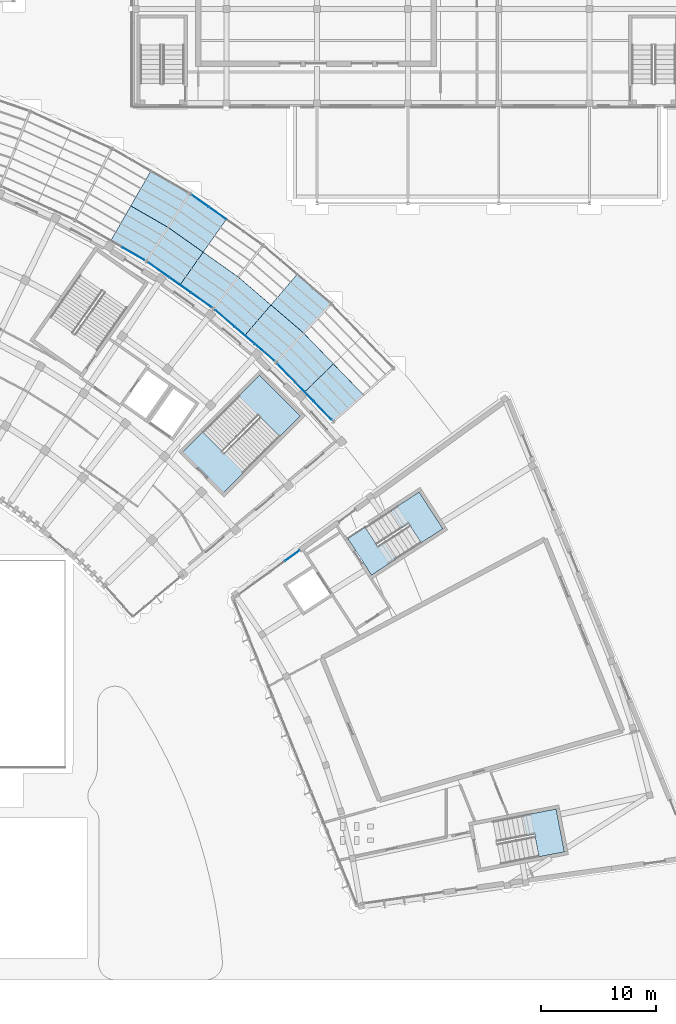
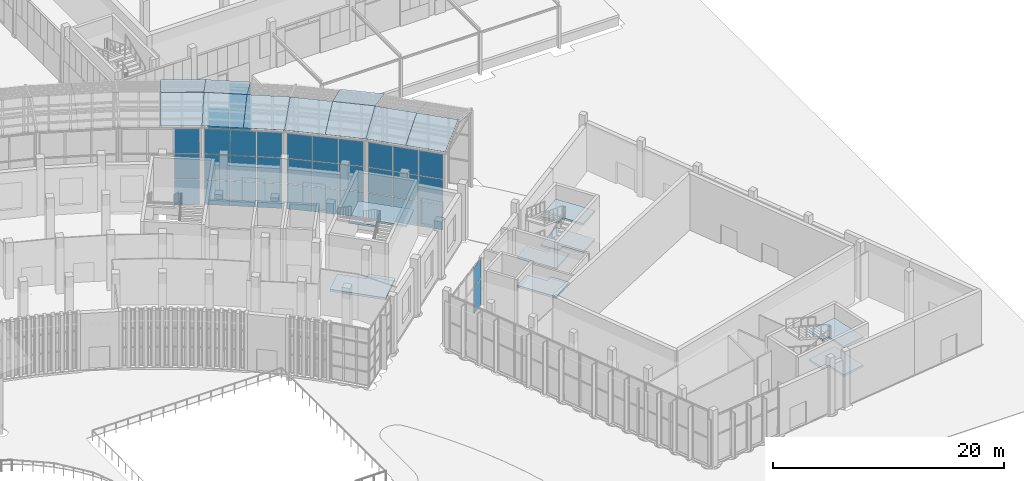
# One storey, part 87 of 155: 47 plates, 8 slabs, 9 elements without a shape of their own.
"""IFC4 building model written with IfcOpenShell, lengths in metres."""

from ifc_helpers import new_model, si_unit, direction, frame, origin, origin_2d, place, context, subcontext, project, spatial, polyline, rectangle, outline, extrude, material, layer, layer_set, type_object, element, aggregate, save


model = new_model("IFC4")

# Units and contexts
model_context = context("Model", 3, precision=1e-05, world=origin(), true_north=direction((0.0, 1.0)))
body_context = subcontext(model_context, "Body", "Model", "MODEL_VIEW")
ifc_project = project(units=[si_unit("LENGTHUNIT", "METRE"), si_unit("AREAUNIT", "SQUARE_METRE"), si_unit("VOLUMEUNIT", "CUBIC_METRE"), si_unit("PLANEANGLEUNIT", "RADIAN"), si_unit("MASSUNIT", "GRAM", prefix="KILO")], contexts=[model_context])

# Site, building, storey
site_placement = place(None, origin())
site = spatial("IfcSite", under=ifc_project, at=site_placement, CompositionType="ELEMENT")
building_placement = place(site_placement, origin())
building = spatial("IfcBuilding", under=site, at=building_placement, Name="Lunette Opera House", CompositionType="ELEMENT")
storey_placement = place(building_placement, origin())
storey = spatial("IfcBuildingStorey", under=building, at=storey_placement, Name="L00", CompositionType="ELEMENT", Elevation=0.0)

# Slabs
ifc_material_1 = material(Name="Concrete C35/45", Category="concrete")
ifc_layer_1 = layer(ifc_material_1, 0.219970703125)
ifc_layer_set_1 = layer_set([ifc_layer_1], Name="Concrete C35/45")
slab_type_1 = type_object("IfcSlabType", Name="CORE LANDING SLAB 220", PredefinedType="LANDING", material=ifc_layer_set_1)
slab_1_placement = place(storey_placement, frame((0.0, 0.0, -0.219970703125)))
element("IfcSlab", 1, at=slab_1_placement, inside=storey, type_object=slab_type_1, Name="ST21 floor landing", PredefinedType="LANDING", context=body_context, shape_type="SweptSolid", body=[
    extrude(outline(polyline([(154.761962890625, 40.426025390625), (156.280029296875, 41.412109375), (157.260009765625, 39.902099609375), (157.251953125, 39.89697265625), (157.361083984375, 39.72900390625), (157.947998046875, 40.110107421875), (158.927978515625, 38.60009765625), (156.83203125, 37.239013671875), (154.761962890625, 40.426025390625)])), origin(), (0.0, 0.0, 1.0), 0.219970703125),
])
slab_2_placement = place(storey_placement, frame((0.0, 0.0, -0.219970703125)))
element("IfcSlab", 2, at=slab_2_placement, inside=storey, type_object=slab_type_1, Name="ST4 floor landing", PredefinedType="LANDING", context=body_context, shape_type="SweptSolid", body=[
    extrude(outline(polyline([(140.44091796875, 47.97705078125), (142.14501953125, 49.680908203125), (143.842041015625, 47.98388671875), (143.8349609375, 47.97705078125), (143.97705078125, 47.8349609375), (144.471923828125, 48.330078125), (146.1689453125, 46.633056640625), (143.97705078125, 44.44091796875), (140.44091796875, 47.97705078125)])), origin(), (0.0, 0.0, 1.0), 0.219970703125),
])

# Curtain wall, plates
ifc_material_2 = material(Name="Aluminium", Category="aluminium")
ifc_layer_2 = layer(ifc_material_2, 0.139892578125)
ifc_layer_set_2 = layer_set([ifc_layer_2], Name="Aluminium")
curtain_wall_type_1 = type_object("IfcCurtainWallType", Name="PASSAGE CURTAIN WALL", PredefinedType="NOTDEFINED", material=ifc_layer_set_2)
curtain_wall_1_placement = place(storey_placement, origin())
curtain_wall_1 = element("IfcCurtainWall", 3, at=curtain_wall_1_placement, inside=storey, type_object=curtain_wall_type_1, Name="Passage Curtain Wall EI3 L00", PredefinedType="NOTDEFINED")
ifc_material_3 = material(Name="Laminated glass", Category="glass")
ifc_layer_3 = layer(ifc_material_3, 0.028076171875)
ifc_layer_set_3 = layer_set([ifc_layer_3], Name="Laminated glass")
plate_type_1 = type_object("IfcPlateType", Name="CURTAIN PANEL LAMINATED GLASS 28", PredefinedType="CURTAIN_PANEL", material=ifc_layer_set_3)
plate_1_placement = place(storey_placement, frame((136.103759765625, 65.204345703125, 0.06005859375), z_axis=(0.0, 0.0, 1.0), x_axis=(0.866939373287, -0.498413606399, 0.0)))
plate_1 = element("IfcPlate", 4, at=plate_1_placement, type_object=plate_type_1, Name="PP-X2003 panel 3.1", PredefinedType="CURTAIN_PANEL", context=body_context, shape_type="SweptSolid", body=[
    extrude(rectangle(XDim=2.196533203125, YDim=0.028076171875, at=origin_2d()), origin(), (0.0, 0.0, 1.0), 2.610107421875),
])
plate_2_placement = place(storey_placement, frame((136.103759765625, 65.204345703125, 2.72998046875), z_axis=(0.0, 0.0, 1.0), x_axis=(0.866939373287, -0.498413606399, 0.0)))
plate_2 = element("IfcPlate", 5, at=plate_2_placement, type_object=plate_type_1, Name="PP-X2003 panel 3.2", PredefinedType="CURTAIN_PANEL", context=body_context, shape_type="SweptSolid", body=[
    extrude(rectangle(XDim=2.196533203125, YDim=0.028076171875, at=origin_2d()), origin(), (0.0, 0.0, 1.0), 2.639892578125),
])
plate_3_placement = place(storey_placement, frame((136.103759765625, 65.204345703125, 5.43017578125), z_axis=(0.0, 0.0, 1.0), x_axis=(0.866939373287, -0.498413606399, 0.0)))
plate_3 = element("IfcPlate", 6, at=plate_3_placement, type_object=plate_type_1, Name="PP-X2003 panel 3.3", PredefinedType="CURTAIN_PANEL", context=body_context, shape_type="SweptSolid", body=[
    extrude(rectangle(XDim=2.196533203125, YDim=0.028076171875, at=origin_2d()), origin(), (0.0, 0.0, 1.0), 2.610107421875),
])
aggregate(curtain_wall_1, [plate_1, plate_2, plate_3])

curtain_wall_2_placement = place(storey_placement, origin())
curtain_wall_2 = element("IfcCurtainWall", 7, at=curtain_wall_2_placement, inside=storey, type_object=curtain_wall_type_1, Name="Passage Curtain Wall EI4 L00", PredefinedType="NOTDEFINED")
plate_4_placement = place(storey_placement, frame((138.305908203125, 63.796630859375, 0.06005859375), z_axis=(0.0, 0.0, 1.0), x_axis=(0.816717282752, -0.577038023057, 0.0)))
plate_4 = element("IfcPlate", 8, at=plate_4_placement, type_object=plate_type_1, Name="PP-X2004 panel 1.1", PredefinedType="CURTAIN_PANEL", context=body_context, shape_type="SweptSolid", body=[
    extrude(rectangle(XDim=2.1962890625, YDim=0.028076171875, at=origin_2d()), origin(), (0.0, 0.0, 1.0), 2.610107421875),
])
plate_5_placement = place(storey_placement, frame((138.305908203125, 63.796630859375, 2.72998046875), z_axis=(0.0, 0.0, 1.0), x_axis=(0.816717282752, -0.577038023057, 0.0)))
plate_5 = element("IfcPlate", 9, at=plate_5_placement, type_object=plate_type_1, Name="PP-X2004 panel 1.2", PredefinedType="CURTAIN_PANEL", context=body_context, shape_type="SweptSolid", body=[
    extrude(rectangle(XDim=2.1962890625, YDim=0.028076171875, at=origin_2d()), origin(), (0.0, 0.0, 1.0), 2.639892578125),
])
plate_6_placement = place(storey_placement, frame((138.305908203125, 63.796630859375, 5.43017578125), z_axis=(0.0, 0.0, 1.0), x_axis=(0.816717282752, -0.577038023057, 0.0)))
plate_6 = element("IfcPlate", 10, at=plate_6_placement, type_object=plate_type_1, Name="PP-X2004 panel 1.3", PredefinedType="CURTAIN_PANEL", context=body_context, shape_type="SweptSolid", body=[
    extrude(rectangle(XDim=2.1962890625, YDim=0.028076171875, at=origin_2d()), origin(), (0.0, 0.0, 1.0), 2.610107421875),
])
plate_7_placement = place(storey_placement, frame((140.160888671875, 62.486083984375, 0.06005859375), z_axis=(0.0, 0.0, 1.0), x_axis=(0.816717282752, -0.577038023057, 0.0)))
plate_7 = element("IfcPlate", 11, at=plate_7_placement, type_object=plate_type_1, Name="PP-X2004 panel 2.1", PredefinedType="CURTAIN_PANEL", context=body_context, shape_type="SweptSolid", body=[
    extrude(rectangle(XDim=2.226318359375, YDim=0.028076171875, at=origin_2d()), origin(), (0.0, 0.0, 1.0), 2.610107421875),
])
plate_8_placement = place(storey_placement, frame((140.160888671875, 62.486083984375, 2.72998046875), z_axis=(0.0, 0.0, 1.0), x_axis=(0.816717282752, -0.577038023057, 0.0)))
plate_8 = element("IfcPlate", 12, at=plate_8_placement, type_object=plate_type_1, Name="PP-X2004 panel 2.2", PredefinedType="CURTAIN_PANEL", context=body_context, shape_type="SweptSolid", body=[
    extrude(rectangle(XDim=2.226318359375, YDim=0.028076171875, at=origin_2d()), origin(), (0.0, 0.0, 1.0), 2.639892578125),
])
plate_9_placement = place(storey_placement, frame((140.160888671875, 62.486083984375, 5.43017578125), z_axis=(0.0, 0.0, 1.0), x_axis=(0.816717282752, -0.577038023057, 0.0)))
plate_9 = element("IfcPlate", 13, at=plate_9_placement, type_object=plate_type_1, Name="PP-X2004 panel 2.3", PredefinedType="CURTAIN_PANEL", context=body_context, shape_type="SweptSolid", body=[
    extrude(rectangle(XDim=2.226318359375, YDim=0.028076171875, at=origin_2d()), origin(), (0.0, 0.0, 1.0), 2.610107421875),
])
plate_10_placement = place(storey_placement, frame((142.01611328125, 61.17529296875, 0.06005859375), z_axis=(0.0, 0.0, 1.0), x_axis=(0.816717282752, -0.577038023057, 0.0)))
plate_10 = element("IfcPlate", 14, at=plate_10_placement, type_object=plate_type_1, Name="PP-X2004 panel 3.1", PredefinedType="CURTAIN_PANEL", context=body_context, shape_type="SweptSolid", body=[
    extrude(rectangle(XDim=2.1962890625, YDim=0.028076171875, at=origin_2d()), origin(), (0.0, 0.0, 1.0), 2.610107421875),
])
plate_11_placement = place(storey_placement, frame((142.01611328125, 61.17529296875, 2.72998046875), z_axis=(0.0, 0.0, 1.0), x_axis=(0.816717282752, -0.577038023057, 0.0)))
plate_11 = element("IfcPlate", 15, at=plate_11_placement, type_object=plate_type_1, Name="PP-X2004 panel 3.2", PredefinedType="CURTAIN_PANEL", context=body_context, shape_type="SweptSolid", body=[
    extrude(rectangle(XDim=2.1962890625, YDim=0.028076171875, at=origin_2d()), origin(), (0.0, 0.0, 1.0), 2.639892578125),
])
plate_12_placement = place(storey_placement, frame((142.01611328125, 61.17529296875, 5.43017578125), z_axis=(0.0, 0.0, 1.0), x_axis=(0.816717282752, -0.577038023057, 0.0)))
plate_12 = element("IfcPlate", 16, at=plate_12_placement, type_object=plate_type_1, Name="PP-X2004 panel 3.3", PredefinedType="CURTAIN_PANEL", context=body_context, shape_type="SweptSolid", body=[
    extrude(rectangle(XDim=2.1962890625, YDim=0.028076171875, at=origin_2d()), origin(), (0.0, 0.0, 1.0), 2.610107421875),
])
aggregate(curtain_wall_2, [plate_4, plate_5, plate_6, plate_7, plate_8, plate_9, plate_10, plate_11, plate_12])

curtain_wall_3_placement = place(storey_placement, origin())
curtain_wall_3 = element("IfcCurtainWall", 17, at=curtain_wall_3_placement, inside=storey, type_object=curtain_wall_type_1, Name="Passage Curtain Wall EI5 L00", PredefinedType="NOTDEFINED")
plate_13_placement = place(storey_placement, frame((144.077392578125, 59.568359375, 0.06005859375), z_axis=(0.0, 0.0, 1.0), x_axis=(0.759256602365, -0.650791373456, 0.0)))
plate_13 = element("IfcPlate", 18, at=plate_13_placement, type_object=plate_type_1, Name="PP-X2005 panel 1.1", PredefinedType="CURTAIN_PANEL", context=body_context, shape_type="SweptSolid", body=[
    extrude(rectangle(XDim=2.196533203125, YDim=0.028076171875, at=origin_2d()), origin(), (0.0, 0.0, 1.0), 2.610107421875),
])
plate_14_placement = place(storey_placement, frame((144.077392578125, 59.568359375, 2.72998046875), z_axis=(0.0, 0.0, 1.0), x_axis=(0.759256602365, -0.650791373456, 0.0)))
plate_14 = element("IfcPlate", 19, at=plate_14_placement, type_object=plate_type_1, Name="PP-X2005 panel 1.2", PredefinedType="CURTAIN_PANEL", context=body_context, shape_type="SweptSolid", body=[
    extrude(rectangle(XDim=2.196533203125, YDim=0.028076171875, at=origin_2d()), origin(), (0.0, 0.0, 1.0), 2.639892578125),
])
plate_15_placement = place(storey_placement, frame((144.077392578125, 59.568359375, 5.43017578125), z_axis=(0.0, 0.0, 1.0), x_axis=(0.759256602365, -0.650791373456, 0.0)))
plate_15 = element("IfcPlate", 20, at=plate_15_placement, type_object=plate_type_1, Name="PP-X2005 panel 1.3", PredefinedType="CURTAIN_PANEL", context=body_context, shape_type="SweptSolid", body=[
    extrude(rectangle(XDim=2.196533203125, YDim=0.028076171875, at=origin_2d()), origin(), (0.0, 0.0, 1.0), 2.610107421875),
])
plate_16_placement = place(storey_placement, frame((145.802001953125, 58.090087890625, 0.06005859375), z_axis=(0.0, 0.0, 1.0), x_axis=(0.759256602365, -0.650791373456, 0.0)))
plate_16 = element("IfcPlate", 21, at=plate_16_placement, type_object=plate_type_1, Name="PP-X2005 panel 2.1", PredefinedType="CURTAIN_PANEL", context=body_context, shape_type="SweptSolid", body=[
    extrude(rectangle(XDim=2.2265625, YDim=0.028076171875, at=origin_2d()), origin(), (0.0, 0.0, 1.0), 2.610107421875),
])
plate_17_placement = place(storey_placement, frame((145.802001953125, 58.090087890625, 2.72998046875), z_axis=(0.0, 0.0, 1.0), x_axis=(0.759256602365, -0.650791373456, 0.0)))
plate_17 = element("IfcPlate", 22, at=plate_17_placement, type_object=plate_type_1, Name="PP-X2005 panel 2.2", PredefinedType="CURTAIN_PANEL", context=body_context, shape_type="SweptSolid", body=[
    extrude(rectangle(XDim=2.2265625, YDim=0.028076171875, at=origin_2d()), origin(), (0.0, 0.0, 1.0), 2.639892578125),
])
plate_18_placement = place(storey_placement, frame((145.802001953125, 58.090087890625, 5.43017578125), z_axis=(0.0, 0.0, 1.0), x_axis=(0.759256602365, -0.650791373456, 0.0)))
plate_18 = element("IfcPlate", 23, at=plate_18_placement, type_object=plate_type_1, Name="PP-X2005 panel 2.3", PredefinedType="CURTAIN_PANEL", context=body_context, shape_type="SweptSolid", body=[
    extrude(rectangle(XDim=2.2265625, YDim=0.028076171875, at=origin_2d()), origin(), (0.0, 0.0, 1.0), 2.610107421875),
])
plate_19_placement = place(storey_placement, frame((147.526611328125, 56.61181640625, 0.06005859375), z_axis=(0.0, 0.0, 1.0), x_axis=(0.759256602365, -0.650791373456, 0.0)))
plate_19 = element("IfcPlate", 24, at=plate_19_placement, type_object=plate_type_1, Name="PP-X2005 panel 3.1", PredefinedType="CURTAIN_PANEL", context=body_context, shape_type="SweptSolid", body=[
    extrude(rectangle(XDim=2.196533203125, YDim=0.028076171875, at=origin_2d()), origin(), (0.0, 0.0, 1.0), 2.610107421875),
])
plate_20_placement = place(storey_placement, frame((147.526611328125, 56.61181640625, 2.72998046875), z_axis=(0.0, 0.0, 1.0), x_axis=(0.759256602365, -0.650791373456, 0.0)))
plate_20 = element("IfcPlate", 25, at=plate_20_placement, type_object=plate_type_1, Name="PP-X2005 panel 3.2", PredefinedType="CURTAIN_PANEL", context=body_context, shape_type="SweptSolid", body=[
    extrude(rectangle(XDim=2.196533203125, YDim=0.028076171875, at=origin_2d()), origin(), (0.0, 0.0, 1.0), 2.639892578125),
])
plate_21_placement = place(storey_placement, frame((147.526611328125, 56.61181640625, 5.43017578125), z_axis=(0.0, 0.0, 1.0), x_axis=(0.759256602365, -0.650791373456, 0.0)))
plate_21 = element("IfcPlate", 26, at=plate_21_placement, type_object=plate_type_1, Name="PP-X2005 panel 3.3", PredefinedType="CURTAIN_PANEL", context=body_context, shape_type="SweptSolid", body=[
    extrude(rectangle(XDim=2.196533203125, YDim=0.028076171875, at=origin_2d()), origin(), (0.0, 0.0, 1.0), 2.610107421875),
])
aggregate(curtain_wall_3, [plate_13, plate_14, plate_15, plate_16, plate_17, plate_18, plate_19, plate_20, plate_21])

curtain_wall_4_placement = place(storey_placement, origin())
curtain_wall_4 = element("IfcCurtainWall", 27, at=curtain_wall_4_placement, inside=storey, type_object=curtain_wall_type_1, Name="Passage Curtain Wall EI6 L00", PredefinedType="NOTDEFINED")
plate_22_placement = place(storey_placement, frame((149.42919921875, 54.8193359375, 0.06005859375), z_axis=(0.0, 0.0, 1.0), x_axis=(0.695125088724, -0.718888802964, 0.0)))
plate_22 = element("IfcPlate", 28, at=plate_22_placement, type_object=plate_type_1, Name="PP-X2006 panel 1.1", PredefinedType="CURTAIN_PANEL", context=body_context, shape_type="SweptSolid", body=[
    extrude(rectangle(XDim=2.1962890625, YDim=0.028076171875, at=origin_2d()), origin(), (0.0, 0.0, 1.0), 2.610107421875),
])
plate_23_placement = place(storey_placement, frame((149.42919921875, 54.8193359375, 2.72998046875), z_axis=(0.0, 0.0, 1.0), x_axis=(0.695125088724, -0.718888802964, 0.0)))
plate_23 = element("IfcPlate", 29, at=plate_23_placement, type_object=plate_type_1, Name="PP-X2006 panel 1.2", PredefinedType="CURTAIN_PANEL", context=body_context, shape_type="SweptSolid", body=[
    extrude(rectangle(XDim=2.1962890625, YDim=0.028076171875, at=origin_2d()), origin(), (0.0, 0.0, 1.0), 2.639892578125),
])
plate_24_placement = place(storey_placement, frame((149.42919921875, 54.8193359375, 5.43017578125), z_axis=(0.0, 0.0, 1.0), x_axis=(0.695125088724, -0.718888802964, 0.0)))
plate_24 = element("IfcPlate", 30, at=plate_24_placement, type_object=plate_type_1, Name="PP-X2006 panel 1.3", PredefinedType="CURTAIN_PANEL", context=body_context, shape_type="SweptSolid", body=[
    extrude(rectangle(XDim=2.1962890625, YDim=0.028076171875, at=origin_2d()), origin(), (0.0, 0.0, 1.0), 2.610107421875),
])
plate_25_placement = place(storey_placement, frame((151.008056640625, 53.1865234375, 0.06005859375), z_axis=(0.0, 0.0, 1.0), x_axis=(0.695125088724, -0.718888802964, 0.0)))
plate_25 = element("IfcPlate", 31, at=plate_25_placement, type_object=plate_type_1, Name="PP-X2006 panel 2.1", PredefinedType="CURTAIN_PANEL", context=body_context, shape_type="SweptSolid", body=[
    extrude(rectangle(XDim=2.226318359375, YDim=0.028076171875, at=origin_2d()), origin(), (0.0, 0.0, 1.0), 2.610107421875),
])
plate_26_placement = place(storey_placement, frame((151.008056640625, 53.1865234375, 2.72998046875), z_axis=(0.0, 0.0, 1.0), x_axis=(0.695125088724, -0.718888802964, 0.0)))
plate_26 = element("IfcPlate", 32, at=plate_26_placement, type_object=plate_type_1, Name="PP-X2006 panel 2.2", PredefinedType="CURTAIN_PANEL", context=body_context, shape_type="SweptSolid", body=[
    extrude(rectangle(XDim=2.226318359375, YDim=0.028076171875, at=origin_2d()), origin(), (0.0, 0.0, 1.0), 2.639892578125),
])
plate_27_placement = place(storey_placement, frame((151.008056640625, 53.1865234375, 5.43017578125), z_axis=(0.0, 0.0, 1.0), x_axis=(0.695125088724, -0.718888802964, 0.0)))
plate_27 = element("IfcPlate", 33, at=plate_27_placement, type_object=plate_type_1, Name="PP-X2006 panel 2.3", PredefinedType="CURTAIN_PANEL", context=body_context, shape_type="SweptSolid", body=[
    extrude(rectangle(XDim=2.226318359375, YDim=0.028076171875, at=origin_2d()), origin(), (0.0, 0.0, 1.0), 2.610107421875),
])
plate_28_placement = place(storey_placement, frame((152.5869140625, 51.5537109375, 0.06005859375), z_axis=(0.0, 0.0, 1.0), x_axis=(0.695125088724, -0.718888802964, 0.0)))
plate_28 = element("IfcPlate", 34, at=plate_28_placement, type_object=plate_type_1, Name="PP-X2006 panel 3.1", PredefinedType="CURTAIN_PANEL", context=body_context, shape_type="SweptSolid", body=[
    extrude(rectangle(XDim=2.1962890625, YDim=0.028076171875, at=origin_2d()), origin(), (0.0, 0.0, 1.0), 2.610107421875),
])
plate_29_placement = place(storey_placement, frame((152.5869140625, 51.5537109375, 2.72998046875), z_axis=(0.0, 0.0, 1.0), x_axis=(0.695125088724, -0.718888802964, 0.0)))
plate_29 = element("IfcPlate", 35, at=plate_29_placement, type_object=plate_type_1, Name="PP-X2006 panel 3.2", PredefinedType="CURTAIN_PANEL", context=body_context, shape_type="SweptSolid", body=[
    extrude(rectangle(XDim=2.1962890625, YDim=0.028076171875, at=origin_2d()), origin(), (0.0, 0.0, 1.0), 2.639892578125),
])
plate_30_placement = place(storey_placement, frame((152.5869140625, 51.5537109375, 5.43017578125), z_axis=(0.0, 0.0, 1.0), x_axis=(0.695125088724, -0.718888802964, 0.0)))
plate_30 = element("IfcPlate", 36, at=plate_30_placement, type_object=plate_type_1, Name="PP-X2006 panel 3.3", PredefinedType="CURTAIN_PANEL", context=body_context, shape_type="SweptSolid", body=[
    extrude(rectangle(XDim=2.1962890625, YDim=0.028076171875, at=origin_2d()), origin(), (0.0, 0.0, 1.0), 2.610107421875),
])
aggregate(curtain_wall_4, [plate_22, plate_23, plate_24, plate_25, plate_26, plate_27, plate_28, plate_29, plate_30])

curtain_wall_5_placement = place(storey_placement, origin())
curtain_wall_5 = element("IfcCurtainWall", 37, at=curtain_wall_5_placement, inside=storey, type_object=curtain_wall_type_1, Name="Passage Curtain Wall EO4 L00", PredefinedType="NOTDEFINED")
plate_31_placement = place(storey_placement, frame((141.908203125, 69.8134765625, 0.06005859375), z_axis=(0.0, 0.0, 1.0), x_axis=(0.816691076431, -0.577075112682, 0.0)))
plate_31 = element("IfcPlate", 38, at=plate_31_placement, type_object=plate_type_1, Name="PP-X2010 panel 1.1", PredefinedType="CURTAIN_PANEL", context=body_context, shape_type="SweptSolid", body=[
    extrude(rectangle(XDim=1.7880859375, YDim=0.028076171875, at=origin_2d()), origin(), (0.0, 0.0, 1.0), 2.610107421875),
])
plate_32_placement = place(storey_placement, frame((141.908203125, 69.8134765625, 2.72998046875), z_axis=(0.0, 0.0, 1.0), x_axis=(0.816691076431, -0.577075112682, 0.0)))
plate_32 = element("IfcPlate", 39, at=plate_32_placement, type_object=plate_type_1, Name="PP-X2010 panel 1.2", PredefinedType="CURTAIN_PANEL", context=body_context, shape_type="SweptSolid", body=[
    extrude(rectangle(XDim=1.7880859375, YDim=0.028076171875, at=origin_2d()), origin(), (0.0, 0.0, 1.0), 2.639892578125),
])
plate_33_placement = place(storey_placement, frame((143.4296875, 68.73828125, 0.06005859375), z_axis=(0.0, 0.0, 1.0), x_axis=(0.816691076431, -0.577075112682, 0.0)))
plate_33 = element("IfcPlate", 40, at=plate_33_placement, type_object=plate_type_1, Name="PP-X2010 panel 2.1", PredefinedType="CURTAIN_PANEL", context=body_context, shape_type="SweptSolid", body=[
    extrude(rectangle(XDim=1.818115234375, YDim=0.028076171875, at=origin_2d()), origin(), (0.0, 0.0, 1.0), 2.610107421875),
])
plate_34_placement = place(storey_placement, frame((143.4296875, 68.73828125, 2.72998046875), z_axis=(0.0, 0.0, 1.0), x_axis=(0.816691076431, -0.577075112682, 0.0)))
plate_34 = element("IfcPlate", 41, at=plate_34_placement, type_object=plate_type_1, Name="PP-X2010 panel 2.2", PredefinedType="CURTAIN_PANEL", context=body_context, shape_type="SweptSolid", body=[
    extrude(rectangle(XDim=1.818115234375, YDim=0.028076171875, at=origin_2d()), origin(), (0.0, 0.0, 1.0), 2.639892578125),
])
plate_35_placement = place(storey_placement, frame((143.4296875, 68.73828125, 5.43017578125), z_axis=(0.0, 0.0, 1.0), x_axis=(0.816691076431, -0.577075112682, 0.0)))
plate_35 = element("IfcPlate", 42, at=plate_35_placement, type_object=plate_type_1, Name="PP-X2010 panel 2.3", PredefinedType="CURTAIN_PANEL", context=body_context, shape_type="SweptSolid", body=[
    extrude(rectangle(XDim=1.818115234375, YDim=0.028076171875, at=origin_2d()), origin(), (0.0, 0.0, 1.0), 2.610107421875),
])
aggregate(curtain_wall_5, [plate_31, plate_32, plate_33, plate_34, plate_35])

ifc_material_4 = material(Name="Aluminium", Category="aluminium")
ifc_layer_4 = layer(ifc_material_4, 0.139892578125)
ifc_layer_set_4 = layer_set([ifc_layer_4], Name="Aluminium")
curtain_wall_type_2 = type_object("IfcCurtainWallType", Name="STUDIO CURTAIN WALL", PredefinedType="NOTDEFINED", material=ifc_layer_set_4)
curtain_wall_6_placement = place(storey_placement, origin())
curtain_wall_6 = element("IfcCurtainWall", 43, at=curtain_wall_6_placement, inside=storey, type_object=curtain_wall_type_2, Name="Studio Curtain Wall F18 L00", PredefinedType="NOTDEFINED")
plate_36_placement = place(storey_placement, frame((149.93359375, 38.92578125, 0.06005859375), z_axis=(0.0, 0.0, 1.0), x_axis=(-0.809026920488, -0.587771589927, 0.0)))
plate_36 = element("IfcPlate", 44, at=plate_36_placement, type_object=plate_type_1, Name="SB-X2006 panel 1.1", PredefinedType="CURTAIN_PANEL", context=body_context, shape_type="SweptSolid", body=[
    extrude(rectangle(XDim=1.544921875, YDim=0.028076171875, at=origin_2d()), origin(), (0.0, 0.0, 1.0), 2.800048828125),
])
plate_37_placement = place(storey_placement, frame((149.93359375, 38.92578125, 2.919921875), z_axis=(0.0, 0.0, 1.0), x_axis=(-0.809026920488, -0.587771589927, 0.0)))
plate_37 = element("IfcPlate", 45, at=plate_37_placement, type_object=plate_type_1, Name="SB-X2006 panel 1.2", PredefinedType="CURTAIN_PANEL", context=body_context, shape_type="SweptSolid", body=[
    extrude(rectangle(XDim=1.544921875, YDim=0.028076171875, at=origin_2d()), origin(), (0.0, 0.0, 1.0), 2.0),
])
aggregate(curtain_wall_6, [plate_36, plate_37])

# Plates
ifc_material_5 = material(Name="Laminated glass", Category="glass")
ifc_layer_5 = layer(ifc_material_5, 0.02001953125)
ifc_layer_set_5 = layer_set([ifc_layer_5], Name="Laminated glass")
plate_type_2 = type_object("IfcPlateType", Name="PASSAGE ROOF GLASS 20", PredefinedType="SHEET", material=ifc_layer_set_5)
plate_38_placement = place(storey_placement, frame((134.135009765625, 66.3369140625, 8.339111328125), z_axis=(-0.149622209289, -0.260162945428, 0.953901691116), x_axis=(0.866828848236, -0.498605803554, -2.2965796e-05)))
element("IfcPlate", 46, at=plate_38_placement, inside=storey, type_object=plate_type_2, Name="Passage roof glass E3A10", PredefinedType="SHEET", context=body_context, shape_type="SweptSolid", body=[
    extrude(outline(polyline([(0.0, 0.0), (3.579761154997052, 2.220446049250313e-16), (3.741775209515203, 3.6617540942371933), (-0.0015678586785080942, 3.6611937139269357), (0.0, 0.0)])), origin(), (0.0, 0.0, -1.0), 0.02001953125),
])
plate_39_placement = place(storey_placement, frame((137.618896484375, 72.39794921875, 8.339111328125), z_axis=(0.149569017727, 0.260182483618, 0.953904703917), x_axis=(0.866973608838, -0.498354052338, -9.850051e-06)))
element("IfcPlate", 47, at=plate_39_placement, inside=storey, type_object=plate_type_2, Name="Passage roof glass E3B10", PredefinedType="SHEET", context=body_context, shape_type="SweptSolid", body=[
    extrude(outline(polyline([(0.0, 0.0), (3.906925150491075, -2.220446049250313e-16), (3.743860668106486, -3.661707467959341), (-0.00045072817752444026, -3.661456342851917), (0.0, 0.0)])), origin(), (0.0, 0.0, -1.0), 0.02001953125),
])
plate_40_placement = place(storey_placement, frame((137.238037109375, 64.552001953125, 8.339111328125), z_axis=(-0.173182908484, -0.245061469611, 0.953914333848), x_axis=(0.816612844232, -0.577185812432, -2.370859e-05)))
element("IfcPlate", 48, at=plate_40_placement, inside=storey, type_object=plate_type_2, Name="Passage roof glass E4A00", PredefinedType="SHEET", context=body_context, shape_type="SweptSolid", body=[
    extrude(outline(polyline([(0.0, 0.0), (3.57925666893269, -2.220446049250313e-16), (3.5788877117110895, 3.6622408715271577), (-0.1640742768675565, 3.661662359053443), (0.0, 0.0)])), origin(), (0.0, 0.0, -1.0), 0.02001953125),
])
plate_41_placement = place(storey_placement, frame((140.160888671875, 62.486083984375, 8.339111328125), z_axis=(-0.173167840735, -0.245021841081, 0.95392724897), x_axis=(0.816602436893, -0.577200536837, -1.8300634e-05)))
element("IfcPlate", 49, at=plate_41_placement, inside=storey, type_object=plate_type_2, Name="Passage roof glass E4A10", PredefinedType="SHEET", context=body_context, shape_type="SweptSolid", body=[
    extrude(outline(polyline([(0.0, 0.0), (3.579596953167888, 2.220446049250313e-16), (3.742676890016342, 3.6626875093568616), (-0.0004260060470056717, 3.662240865771938), (0.0, 0.0)])), origin(), (0.0, 0.0, -1.0), 0.02001953125),
])
plate_42_placement = place(storey_placement, frame((141.006103515625, 70.450927734375, 8.339111328125), z_axis=(0.173193885482, 0.245065085872, 0.953911411882), x_axis=(0.816667494956, -0.577108484174, -1.328883e-05)))
element("IfcPlate", 50, at=plate_42_placement, inside=storey, type_object=plate_type_2, Name="Passage roof glass E4B00", PredefinedType="SHEET", context=body_context, shape_type="SweptSolid", body=[
    extrude(outline(polyline([(0.0, 0.0), (3.907230986061201, 2.220446049250313e-16), (3.9058673766295, -3.6620177214623064), (0.1637028761772792, -3.6616789828329646), (0.0, 0.0)])), origin(), (0.0, 0.0, -1.0), 0.02001953125),
])
plate_43_placement = place(storey_placement, frame((143.083984375, 60.419921875, 8.339111328125), z_axis=(-0.195293156666, -0.227790338024, 0.953924601246), x_axis=(0.759236892946, -0.650814366565, 2.5730472e-05)))
element("IfcPlate", 51, at=plate_43_placement, inside=storey, type_object=plate_type_2, Name="Passage roof glass E5A00", PredefinedType="SHEET", context=body_context, shape_type="SweptSolid", body=[
    extrude(outline(polyline([(0.0, 0.0), (3.579908649731301, 0.0), (3.580519632184452, 3.662049434573247), (-0.16330499619398833, 3.662677481107381), (0.0, 0.0)])), origin(), (0.0, 0.0, -1.0), 0.02001953125),
])
plate_44_placement = place(storey_placement, frame((145.802001953125, 58.090087890625, 8.339111328125), z_axis=(-0.195285346883, -0.227816232452, 0.953920016314), x_axis=(0.759210678521, -0.650844947359, -1.0821772e-05)))
element("IfcPlate", 52, at=plate_44_placement, inside=storey, type_object=plate_type_2, Name="Passage roof glass E5A10", PredefinedType="SHEET", context=body_context, shape_type="SweptSolid", body=[
    extrude(outline(polyline([(0.0, 0.0), (3.5800675443279686, 4.440892098500626e-16), (3.7436191714195752, 3.662313576348172), (0.0004301105285162577, 3.6620494613313745), (0.0, 0.0)])), origin(), (0.0, 0.0, -1.0), 0.02001953125),
])
plate_45_placement = place(storey_placement, frame((150.35302734375, 63.39892578125, 8.339111328125), z_axis=(0.195313469298, 0.227782729735, 0.953922259278), x_axis=(0.759173801054, -0.650887962339, -1.6596815e-05)))
element("IfcPlate", 53, at=plate_45_placement, inside=storey, type_object=plate_type_2, Name="Passage roof glass E5B10", PredefinedType="SHEET", context=body_context, shape_type="SweptSolid", body=[
    extrude(outline(polyline([(0.0, 0.0), (3.90694617302922, 0.0), (3.743377013178164, -3.662472651972925), (-0.00026231405232624835, -3.662049476789292), (0.0, 0.0)])), origin(), (0.0, 0.0, -1.0), 0.02001953125),
])
plate_46_placement = place(storey_placement, frame((148.52001953125, 55.760009765625, 8.339111328125), z_axis=(-0.215739311462, -0.208536329582, 0.953923030823), x_axis=(0.695002107323, -0.719007698719, 5.2066e-08)))
element("IfcPlate", 54, at=plate_46_placement, inside=storey, type_object=plate_type_2, Name="Passage roof glass E6A00", PredefinedType="SHEET", context=body_context, shape_type="SweptSolid", body=[
    extrude(outline(polyline([(0.0, 0.0), (3.579898594560222, 0.0), (3.57860204026537, 3.662294907381996), (-0.1639407592208156, 3.6622961779932584), (0.0, 0.0)])), origin(), (0.0, 0.0, -1.0), 0.02001953125),
])
plate_47_placement = place(storey_placement, frame((151.008056640625, 53.18603515625, 8.339111328125), z_axis=(-0.215700254931, -0.20857727448, 0.953922911242), x_axis=(0.695138370532, -0.718875959964, 3.51515e-07)))
element("IfcPlate", 55, at=plate_47_placement, inside=storey, type_object=plate_type_2, Name="Passage roof glass E6A10", PredefinedType="SHEET", context=body_context, shape_type="SweptSolid", body=[
    extrude(outline(polyline([(0.0, 0.0), (3.579196502966543, 4.440892098500626e-16), (3.742587495424123, 3.6622865036906567), (-0.0006340826647340885, 3.662295081997983), (0.0, 0.0)])), origin(), (0.0, 0.0, -1.0), 0.02001953125),
])

# Stair, slabs
ifc_material_6 = material(Name="Concrete C35/45", Category="concrete")
stair_type_1 = type_object("IfcStairType", Name="DOGLEG STAIR 1800", PredefinedType="HALF_TURN_STAIR", material=ifc_material_6)
stair_1_placement = place(storey_placement, origin())
stair_1 = element("IfcStair", 56, at=stair_1_placement, inside=storey, type_object=stair_type_1, Name="L00 stair ST21", PredefinedType="HALF_TURN_STAIR")
ifc_material_7 = material(Name="Concrete C35/45", Category="concrete")
ifc_layer_6 = layer(ifc_material_7, 0.199951171875)
ifc_layer_set_6 = layer_set([ifc_layer_6], Name="Concrete C35/45")
slab_type_2 = type_object("IfcSlabType", Name="STAIR LANDING SLAB 200", PredefinedType="LANDING", material=ifc_layer_set_6)
slab_3_placement = place(storey_placement, frame((0.0, 0.0, 1.300048828125)))
slab_3 = element("IfcSlab", 57, at=slab_3_placement, type_object=slab_type_2, Name="ST21 landing 1", PredefinedType="LANDING", context=body_context, shape_type="SweptSolid", body=[
    extrude(outline(polyline([(163.0390625, 41.27001953125), (161.15087890625, 40.0439453125), (160.169921875, 41.552978515625), (160.178955078125, 41.55908203125), (160.070068359375, 41.72705078125), (159.48291015625, 41.345947265625), (158.501953125, 42.85498046875), (160.968994140625, 44.45703125), (163.0390625, 41.27001953125)])), origin(), (0.0, 0.0, 1.0), 0.199951171875),
])
slab_4_placement = place(storey_placement, frame((0.0, 0.0, 2.800048828125)))
slab_4 = element("IfcSlab", 58, at=slab_4_placement, type_object=slab_type_2, Name="ST21 landing 2", PredefinedType="LANDING", context=body_context, shape_type="SweptSolid", body=[
    extrude(outline(polyline([(154.761962890625, 40.426025390625), (156.280029296875, 41.412109375), (157.260009765625, 39.902099609375), (157.251953125, 39.89697265625), (157.361083984375, 39.72900390625), (157.947998046875, 40.110107421875), (158.927978515625, 38.60009765625), (156.83203125, 37.239013671875), (154.761962890625, 40.426025390625)])), origin(), (0.0, 0.0, 1.0), 0.199951171875),
])
slab_5_placement = place(storey_placement, frame((0.0, 0.0, 4.300048828125)))
slab_5 = element("IfcSlab", 59, at=slab_5_placement, type_object=slab_type_2, Name="ST21 landing 3", PredefinedType="LANDING", context=body_context, shape_type="SweptSolid", body=[
    extrude(outline(polyline([(163.0390625, 41.27001953125), (161.15087890625, 40.0439453125), (160.169921875, 41.552978515625), (160.178955078125, 41.55908203125), (160.070068359375, 41.72705078125), (159.48291015625, 41.345947265625), (158.501953125, 42.85498046875), (160.968994140625, 44.45703125), (163.0390625, 41.27001953125)])), origin(), (0.0, 0.0, 1.0), 0.199951171875),
])
aggregate(stair_1, [slab_3, slab_4, slab_5])

stair_2_placement = place(storey_placement, origin())
stair_2 = element("IfcStair", 60, at=stair_2_placement, inside=storey, type_object=stair_type_1, Name="L00 stair ST22", PredefinedType="HALF_TURN_STAIR")
slab_6_placement = place(storey_placement, frame((0.0, 0.0, 1.300048828125)))
slab_6 = element("IfcSlab", 61, at=slab_6_placement, type_object=slab_type_2, Name="ST22 landing 1", PredefinedType="LANDING", context=body_context, shape_type="SweptSolid", body=[
    extrude(outline(polyline([(171.407958984375, 12.721923828125), (171.06396484375, 14.489013671875), (171.073974609375, 14.490966796875), (171.035888671875, 14.68701171875), (170.34912109375, 14.552978515625), (170.006103515625, 16.320068359375), (172.89208984375, 16.881103515625), (173.616943359375, 13.15087890625), (171.407958984375, 12.721923828125)])), origin(), (0.0, 0.0, 1.0), 0.199951171875),
])
slab_7_placement = place(storey_placement, frame((0.0, 0.0, 4.300048828125)))
slab_7 = element("IfcSlab", 62, at=slab_7_placement, type_object=slab_type_2, Name="ST22 landing 3", PredefinedType="LANDING", context=body_context, shape_type="SweptSolid", body=[
    extrude(outline(polyline([(171.407958984375, 12.721923828125), (171.06396484375, 14.489013671875), (171.073974609375, 14.490966796875), (171.035888671875, 14.68701171875), (170.34912109375, 14.552978515625), (170.006103515625, 16.320068359375), (172.89208984375, 16.881103515625), (173.616943359375, 13.15087890625), (171.407958984375, 12.721923828125)])), origin(), (0.0, 0.0, 1.0), 0.199951171875),
])
aggregate(stair_2, [slab_6, slab_7])

# Stair, slab
ifc_material_8 = material(Name="Concrete C35/45", Category="concrete")
stair_type_2 = type_object("IfcStairType", Name="DOGLEG STAIR 2400", PredefinedType="HALF_TURN_STAIR", material=ifc_material_8)
stair_3_placement = place(storey_placement, origin())
stair_3 = element("IfcStair", 63, at=stair_3_placement, inside=storey, type_object=stair_type_2, Name="L00 stair ST4", PredefinedType="HALF_TURN_STAIR")
slab_8_placement = place(storey_placement, frame((0.0, 0.0, 2.800048828125)))
slab_8 = element("IfcSlab", 64, at=slab_8_placement, type_object=slab_type_2, Name="ST4 landing 1", PredefinedType="LANDING", context=body_context, shape_type="SweptSolid", body=[
    extrude(outline(polyline([(148.8349609375, 49.299072265625), (147.137939453125, 50.99609375), (147.14501953125, 51.0029296875), (147.0029296875, 51.14501953125), (146.508056640625, 50.64990234375), (144.81103515625, 52.346923828125), (147.087890625, 54.6240234375), (150.6240234375, 51.087890625), (148.8349609375, 49.299072265625)])), origin(), (0.0, 0.0, 1.0), 0.199951171875),
])
aggregate(stair_3, [slab_8])

save(model, "model.ifc")
